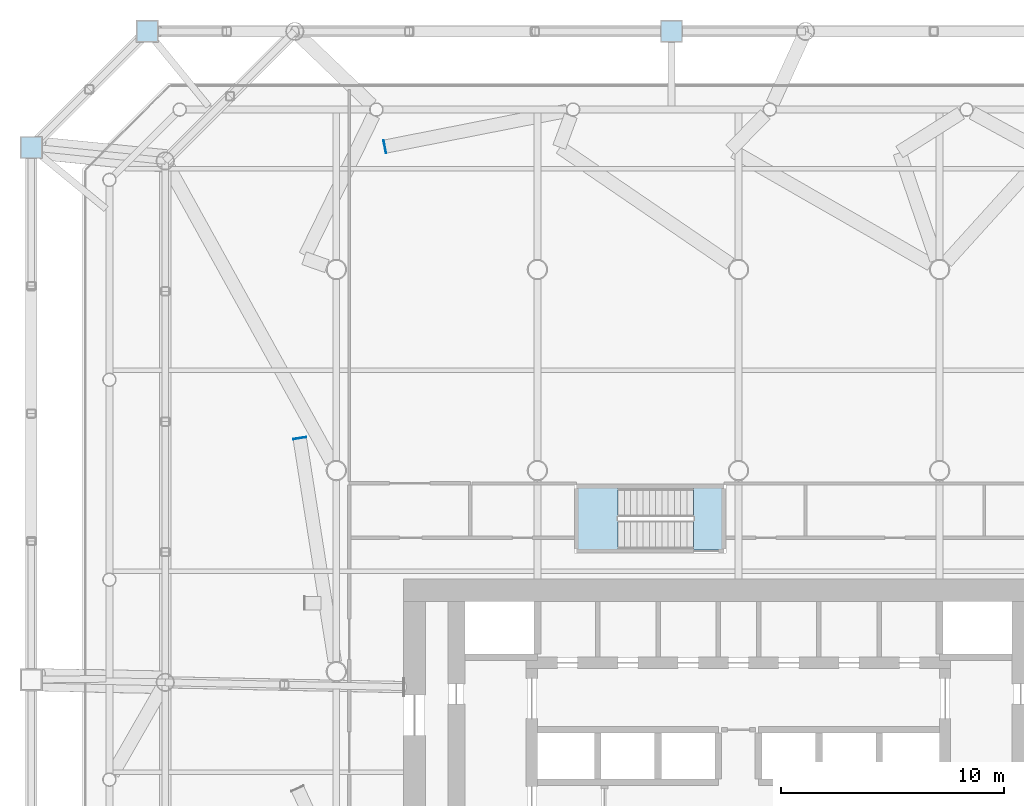
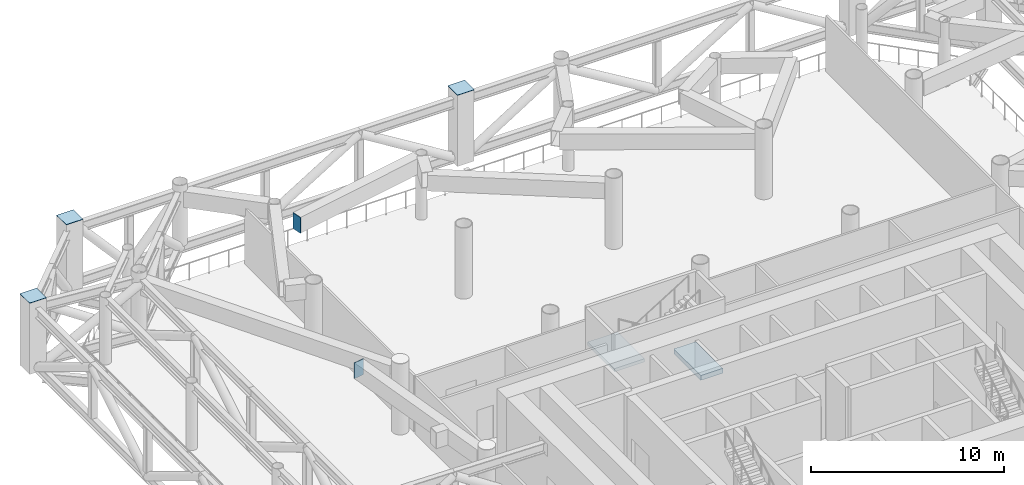
# One storey, part 12 of 22: 5 plates, 2 slabs, 1 element without a shape of its own.
"""IFC4 building model written with IfcOpenShell, lengths in metres."""

from ifc_helpers import new_model, si_unit, direction, frame, origin, origin_2d, place, context, subcontext, project, spatial, polyline, rectangle, outline, extrude, material, layer, layer_set, material_profile, profile_set, type_object, element, aggregate, save


model = new_model("IFC4")

# Units and contexts
model_context = context("Model", 3, precision=1e-05, world=origin(), true_north=direction((0.0, 1.0)))
body_context = subcontext(model_context, "Body", "Model", "MODEL_VIEW")
ifc_project = project(units=[si_unit("LENGTHUNIT", "METRE"), si_unit("AREAUNIT", "SQUARE_METRE"), si_unit("VOLUMEUNIT", "CUBIC_METRE"), si_unit("PLANEANGLEUNIT", "RADIAN"), si_unit("MASSUNIT", "GRAM", prefix="KILO")], contexts=[model_context])

# Site, building, storey
site_placement = place(None, origin())
site = spatial("IfcSite", under=ifc_project, at=site_placement, CompositionType="ELEMENT")
building_placement = place(site_placement, origin())
building = spatial("IfcBuilding", under=site, at=building_placement, Name="Tskaro Facet Tower", CompositionType="ELEMENT")
storey_placement = place(building_placement, frame((0.0, 0.0, 57.60009765625)))
storey = spatial("IfcBuildingStorey", under=building, at=storey_placement, Name="L13", CompositionType="ELEMENT", Elevation=57.60009765625)

# Plates
ifc_material_1 = material(Name="Steel S355J2", Category="steel")
ifc_material_profile_1 = material_profile(ifc_material_1, rectangle(XDim=1.0, YDim=1.0, at=origin_2d()), Name="PL 1000x1000x30 end plate")
ifc_profile_set_1 = profile_set([ifc_material_profile_1], Name="Steel S355J2")
plate_type_1 = type_object("IfcPlateType", Name="PL 1000x1000x30 end plate", PredefinedType="SHEET", material=ifc_profile_set_1)
for number, where, z_axis, x_axis, name in (
    (1, (-3.0, 28.658935546875, 4.5), (0.0, 0.0, 1.0), (1.0, 0.0, 0.0), "End plate CP4-05"),
    (2, (-26.462890625, 28.658935546875, 4.5), (0.0, 0.0, 1.0), (1.0, 0.0, 0.0), "End plate CP4-06"),
    (3, (-31.658935546875, 23.462890625, 4.5), (0.0, 0.0, 1.0), (1.0, 0.0, 0.0), "End plate CP4-07"),
):
    element("IfcPlate", number, at=place(storey_placement, frame(where, z_axis=z_axis, x_axis=x_axis)), inside=storey, type_object=plate_type_1, Name=name, PredefinedType="SHEET", context=body_context, shape_type="SweptSolid", body=[
        extrude(rectangle(XDim=1.0, YDim=1.0, at=origin_2d()), origin(), (0.0, 0.0, 1.0), 0.02978515625),
    ])
ifc_material_profile_2 = material_profile(ifc_material_1, rectangle(XDim=0.60009765625, YDim=1.0, at=origin_2d()), Name="PL 600x1000x30 end plate")
ifc_profile_set_2 = profile_set([ifc_material_profile_2], Name="Steel S355J2")
plate_type_2 = type_object("IfcPlateType", Name="PL 600x1000x30 end plate", PredefinedType="SHEET", material=ifc_profile_set_2)
plate_1_placement = place(storey_placement, frame((-15.816162109375, 23.500244140625, 3.579833984375), z_axis=(-0.982409559795, -0.186739007234, 0.0), x_axis=(0.186739007234, -0.982409559795, 0.0)))
element("IfcPlate", 4, at=plate_1_placement, inside=storey, type_object=plate_type_2, Name="End plate CP8-02", PredefinedType="SHEET", context=body_context, shape_type="SweptSolid", body=[
    extrude(rectangle(XDim=0.60009765625, YDim=1.0, at=origin_2d()), origin(), (0.0, 0.0, 1.0), 0.030029296875),
])
plate_2_placement = place(storey_placement, frame((-19.638427734375, 10.4365234375, 3.579833984375), z_axis=(-0.15512400912, 0.987895005451, 0.0), x_axis=(-0.987895005451, -0.15512400912, 0.0)))
element("IfcPlate", 5, at=plate_2_placement, inside=storey, type_object=plate_type_2, Name="End plate CP8-03", PredefinedType="SHEET", context=body_context, shape_type="SweptSolid", body=[
    extrude(rectangle(XDim=0.60009765625, YDim=1.0, at=origin_2d()), origin(), (0.0, 0.0, 1.0), 0.02978515625),
])

# Stair, slab
ifc_material_2 = material(Name="Concrete C40/50", Category="concrete")
stair_type = type_object("IfcStairType", Name="ST-TWR", PredefinedType="HALF_TURN_STAIR", material=ifc_material_2)
stair_placement = place(storey_placement, origin())
stair = element("IfcStair", 6, at=stair_placement, inside=storey, type_object=stair_type, Name="L13 Exit stair 3", PredefinedType="HALF_TURN_STAIR")
ifc_layer_1 = layer(ifc_material_2, 0.199951171875, Name="Concrete C40/50")
ifc_layer_set_1 = layer_set([ifc_layer_1], Name="Concrete C40/50")
slab_type_1 = type_object("IfcSlabType", Name="SL-LANDING", PredefinedType="LANDING", material=ifc_layer_set_1)
slab_1_placement = place(storey_placement, frame((0.0, 0.0, 2.0498046875)))
slab_1 = element("IfcSlab", 7, at=slab_1_placement, type_object=slab_type_1, Name="ST-3 landing 1", PredefinedType="LANDING", context=body_context, shape_type="SweptSolid", body=[
    extrude(outline(polyline([(-7.199951171875, 5.449951171875), (-5.385009765625, 5.449951171875), (-5.385009765625, 8.25), (-7.199951171875, 8.25), (-7.199951171875, 5.449951171875)])), origin(), (0.0, 0.0, 1.0), 0.2001953125),
])
aggregate(stair, [slab_1])

# Slab
ifc_material_3 = material(Name="Concrete C60/75", Category="concrete")
ifc_layer_2 = layer(ifc_material_3, 0.300048828125, Name="Concrete C60/75")
ifc_layer_set_2 = layer_set([ifc_layer_2], Name="Concrete C60/75")
slab_type_2 = type_object("IfcSlabType", Name="SLAB-CORE", PredefinedType="FLOOR", material=ifc_layer_set_2)
slab_2_placement = place(storey_placement, frame((0.0, 0.0, -0.300048828125)))
element("IfcSlab", 8, at=slab_2_placement, inside=storey, type_object=slab_type_2, Name="Stair 3 floor landing 1", PredefinedType="FLOOR", context=body_context, shape_type="SweptSolid", body=[
    extrude(outline(polyline([(-2.02490234375, 5.449951171875), (-0.699951171875, 5.449951171875), (-0.699951171875, 8.25), (-2.02490234375, 8.25), (-2.02490234375, 5.449951171875)])), origin(), (0.0, 0.0, 1.0), 0.300048828125),
])

save(model, "model.ifc")
